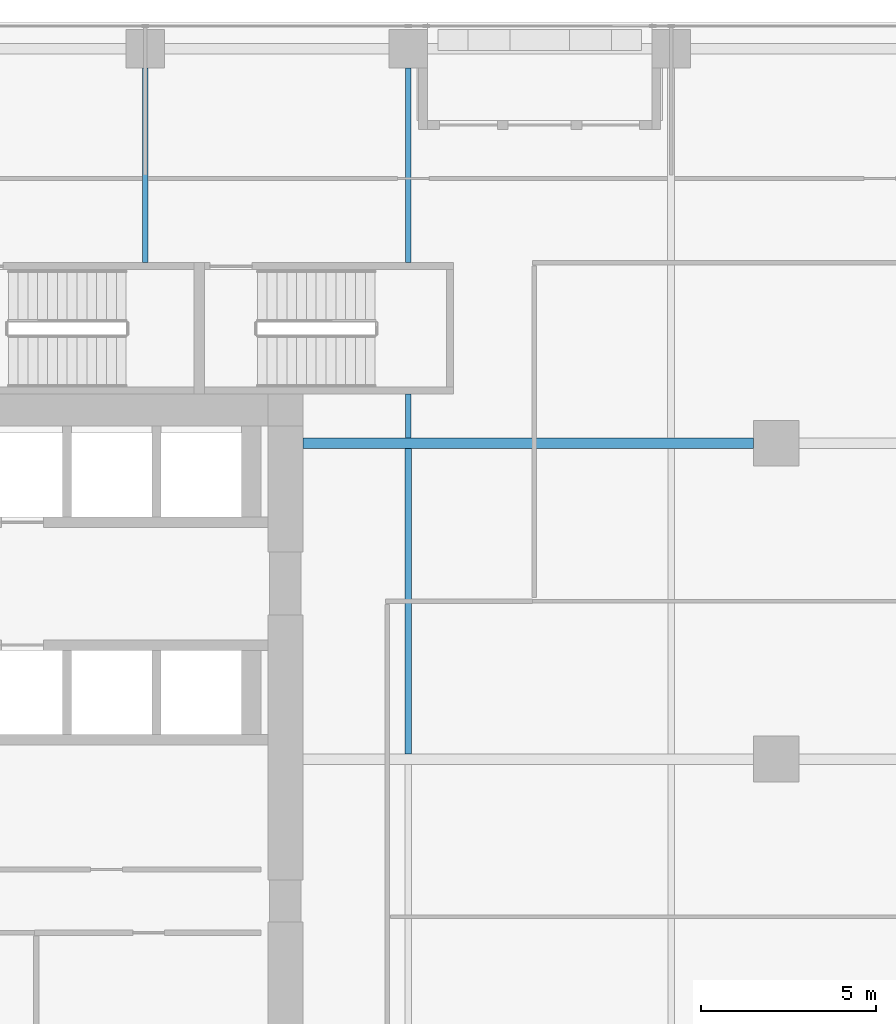
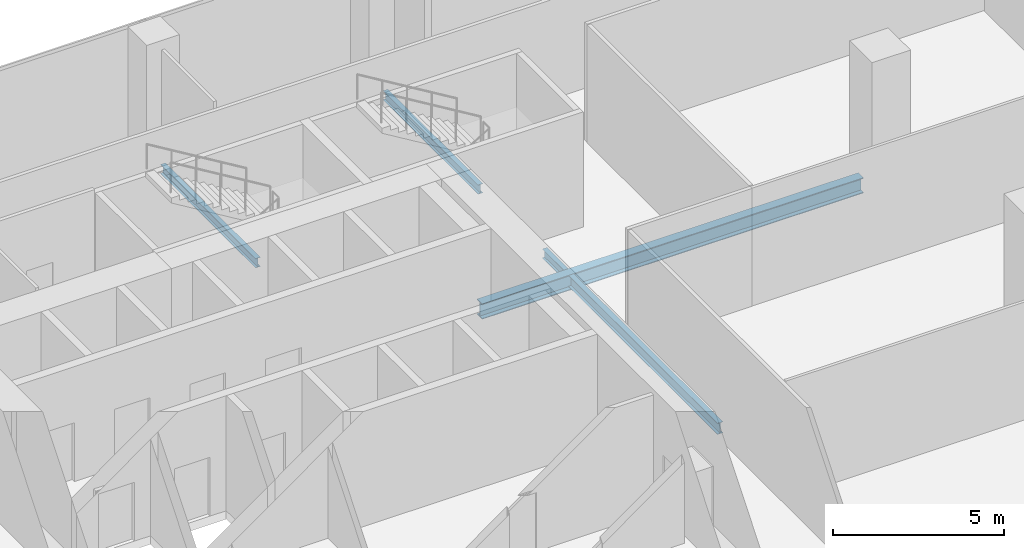
# One storey, part 15 of 34: 5 beams.
"""IFC4 building model written with IfcOpenShell, lengths in metres."""

from ifc_helpers import new_model, si_unit, direction, frame, origin, origin_2d, place, context, subcontext, project, spatial, i_section, extrude, source, transform, mapped, material, material_profile, profile_set, type_object, element, save


model = new_model("IFC4")

# Units and contexts
model_context = context("Model", 3, precision=1e-05, world=origin(), true_north=direction((0.0, 1.0)))
body_context = subcontext(model_context, "Body", "Model", "MODEL_VIEW")
ifc_project = project(units=[si_unit("LENGTHUNIT", "METRE"), si_unit("AREAUNIT", "SQUARE_METRE"), si_unit("VOLUMEUNIT", "CUBIC_METRE"), si_unit("PLANEANGLEUNIT", "RADIAN"), si_unit("MASSUNIT", "GRAM", prefix="KILO")], contexts=[model_context])

# Site, building, storey
site_placement = place(None, origin())
site = spatial("IfcSite", under=ifc_project, at=site_placement, CompositionType="ELEMENT")
building_placement = place(site_placement, origin())
building = spatial("IfcBuilding", under=site, at=building_placement, Name="Khomas Fold Tower", CompositionType="ELEMENT")
storey_placement = place(building_placement, frame((0.0, 0.0, 123.5)))
storey = spatial("IfcBuildingStorey", under=building, at=storey_placement, Name="L26", CompositionType="ELEMENT", Elevation=123.5)

# Beams
ifc_material_1 = material(Name="Steel S355", Category="steel")
ifc_material_profile_1 = material_profile(ifc_material_1, i_section(OverallWidth=0.179931640625, OverallDepth=0.39990234375, WebThickness=0.008544921875, FlangeThickness=0.013427734375, at=origin_2d()), Name="IPE 400")
ifc_profile_set_1 = profile_set([ifc_material_profile_1], Name="Steel S355")
beam_type_1 = type_object("IfcBeamType", Name="IPE 400 beam JB3", PredefinedType="BEAM", material=ifc_profile_set_1)
shared_shape_1 = source(origin(), body_context, "Body", "SweptSolid", [
    extrude(i_section(OverallWidth=0.179931640625, OverallDepth=0.39990234375, WebThickness=0.008544921875, FlangeThickness=0.013427734375, at=origin_2d()), origin(), (0.0, 0.0, 1.0), 8.7001953125),
])
beam_1_placement = place(storey_placement, frame((27.0, 31.64990234375, -0.5), z_axis=(0.0, 1.0, 0.0), x_axis=(-1.0, 0.0, 0.0)))
element("IfcBeam", 1, at=beam_1_placement, inside=storey, type_object=beam_type_1, Name="JB3", PredefinedType="BEAM", context=body_context, shape_type="MappedRepresentation", body=[
    mapped(shared_shape_1, transform((0.0, 0.0, 0.0))),
])
ifc_material_2 = material(Name="Steel S355", Category="steel")
ifc_material_profile_2 = material_profile(ifc_material_2, i_section(OverallWidth=0.159912109375, OverallDepth=0.330078125, WebThickness=0.007568359375, FlangeThickness=0.011474609375, at=origin_2d()), Name="IPE 330")
ifc_profile_set_2 = profile_set([ifc_material_profile_2], Name="Steel S355")
beam_type_2 = type_object("IfcBeamType", Name="IPE 330 beam JB1", PredefinedType="BEAM", material=ifc_profile_set_2)
shared_shape_2 = source(origin(), body_context, "Body", "SweptSolid", [
    extrude(i_section(OverallWidth=0.159912109375, OverallDepth=0.330078125, WebThickness=0.007568359375, FlangeThickness=0.011474609375, at=origin_2d()), origin(), (0.0, 0.0, 1.0), 1.25),
])
beam_2_placement = place(storey_placement, frame((27.0, 40.64990234375, -0.465087890625), z_axis=(0.0, 1.0, 0.0), x_axis=(-1.0, 0.0, 0.0)))
element("IfcBeam", 2, at=beam_2_placement, inside=storey, type_object=beam_type_2, Name="JB1", PredefinedType="BEAM", context=body_context, shape_type="MappedRepresentation", body=[
    mapped(shared_shape_2, transform((0.0, 0.0, 0.0))),
])
ifc_material_3 = material(Name="Steel S355", Category="steel")
ifc_material_profile_3 = material_profile(ifc_material_3, i_section(OverallWidth=0.300048828125, OverallDepth=0.550048828125, WebThickness=0.014892578125, FlangeThickness=0.029052734375, at=origin_2d()), Name="HE 550 B")
ifc_profile_set_3 = profile_set([ifc_material_profile_3], Name="Steel S355")
beam_type_3 = type_object("IfcBeamType", Name="HE 550 B beam GB4", PredefinedType="BEAM", material=ifc_profile_set_3)
shared_shape_3 = source(origin(), body_context, "Body", "SweptSolid", [
    extrude(i_section(OverallWidth=0.300048828125, OverallDepth=0.550048828125, WebThickness=0.014892578125, FlangeThickness=0.029052734375, at=origin_2d()), origin(), (0.0, 0.0, 1.0), 12.85009765625),
])
beam_3_placement = place(storey_placement, frame((24.0, 40.5, -0.574951171875), z_axis=(1.0, 0.0, 0.0), x_axis=(0.0, 1.0, 0.0)))
element("IfcBeam", 3, at=beam_3_placement, inside=storey, type_object=beam_type_3, Name="GB4", PredefinedType="BEAM", context=body_context, shape_type="MappedRepresentation", body=[
    mapped(shared_shape_3, transform((0.0, 0.0, 0.0))),
])
shared_shape_4 = source(origin(), body_context, "Body", "SweptSolid", [
    extrude(i_section(OverallWidth=0.159912109375, OverallDepth=0.330078125, WebThickness=0.007568359375, FlangeThickness=0.011474609375, at=origin_2d()), origin(), (0.0, 0.0, 1.0), 5.550048828125),
])
for number, where, z_axis, x_axis, name in (
    (4, (19.5, 45.64990234375, -0.465087890625), (0.0, 1.0, 0.0), (-1.0, 0.0, 0.0), "JB1"),
    (5, (27.0, 45.64990234375, -0.465087890625), (0.0, 1.0, 0.0), (-1.0, 0.0, 0.0), "JB1"),
):
    element("IfcBeam", number, at=place(storey_placement, frame(where, z_axis=z_axis, x_axis=x_axis)), inside=storey, type_object=beam_type_2, Name=name, PredefinedType="BEAM", context=body_context, shape_type="MappedRepresentation", body=[
        mapped(shared_shape_4, transform((0.0, 0.0, 0.0))),
    ])

save(model, "model.ifc")
